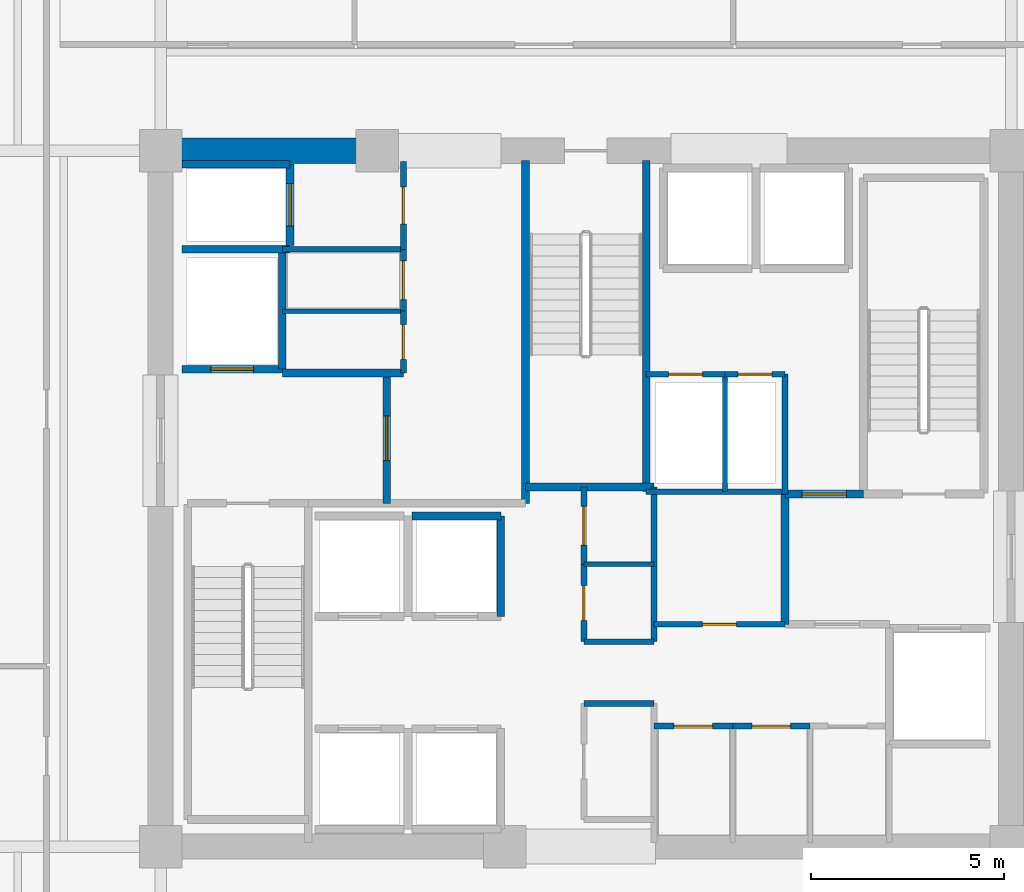
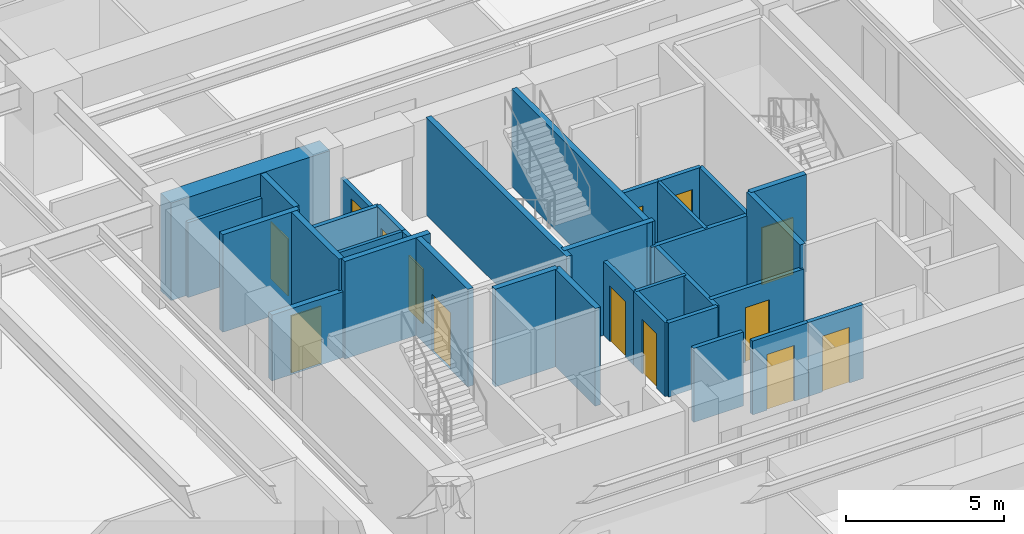
# One storey, part 14 of 20: 34 walls, 14 doors, 14 openings.
"""IFC4 building model written with IfcOpenShell, lengths in metres."""

from ifc_helpers import new_model, si_unit, direction, frame, frame_2d, origin, place, context, subcontext, project, spatial, rectangle, extrude, material, layer, layer_set, type_object, element, fill, save


model = new_model("IFC4")

# Units and contexts
model_context = context("Model", 3, precision=1e-05, world=origin(), true_north=direction((0.0, 1.0)))
body_context = subcontext(model_context, "Body", "Model", "MODEL_VIEW")
ifc_project = project(units=[si_unit("LENGTHUNIT", "METRE"), si_unit("AREAUNIT", "SQUARE_METRE"), si_unit("VOLUMEUNIT", "CUBIC_METRE"), si_unit("PLANEANGLEUNIT", "RADIAN"), si_unit("MASSUNIT", "GRAM", prefix="KILO")], contexts=[model_context])

# Site, building, storey
site_placement = place(None, origin())
site = spatial("IfcSite", under=ifc_project, at=site_placement, CompositionType="ELEMENT")
building_placement = place(site_placement, origin())
building = spatial("IfcBuilding", under=site, at=building_placement, Name="Kovane Verandah Tower", CompositionType="ELEMENT")
storey_placement = place(building_placement, frame((0.0, 0.0, 39.60009765625)))
storey = spatial("IfcBuildingStorey", under=building, at=storey_placement, Name="L08", CompositionType="ELEMENT", Elevation=39.60009765625)

# Walls
ifc_material_1 = material(Name="Fire-Rated Gypsum Stud Partition", Category="gypsum")
ifc_layer_1 = layer(ifc_material_1, 0.14990234375)
ifc_layer_set_1 = layer_set([ifc_layer_1], Name="Fire-Rated Gypsum Stud Partition")
wall_type_1 = type_object("IfcWallType", Name="WL-COR-150", PredefinedType="PARTITIONING", material=ifc_layer_set_1)
for number, where, z_axis, x_axis, name in (
    (1, (39.949951171875, 22.199951171875, 0.0), (0.0, 0.0, 1.0), (1.0, 0.0, 0.0), "L08 Core Cross-Passage South Wall"),
    (2, (39.949951171875, 23.800048828125, 0.0), (0.0, 0.0, 1.0), (1.0, 0.0, 0.0), "L08 Core Cross-Passage North Wall"),
):
    element("IfcWall", number, at=place(storey_placement, frame(where, z_axis=z_axis, x_axis=x_axis)), inside=storey, type_object=wall_type_1, Name=name, PredefinedType="PARTITIONING", context=body_context, shape_type="SweptSolid", body=[
        extrude(rectangle(XDim=1.81005859375, YDim=0.14990234375, at=frame_2d((0.905029296875, 0.0))), origin(), (0.0, 0.0, 1.0), 2.849853515625),
    ])
wall_1_placement = place(storey_placement, frame((41.760009765625, 23.800048828125, 0.0), z_axis=(0.0, 0.0, 1.0), x_axis=(0.0, 1.0, 0.0)))
element("IfcWall", 3, at=wall_1_placement, inside=storey, type_object=wall_type_1, Name="L08 Central Core Strip Upper East Wall", PredefinedType="PARTITIONING", context=body_context, shape_type="SweptSolid", body=[
    extrude(rectangle(XDim=4.0, YDim=0.14990234375, at=frame_2d((2.0, 0.0))), origin(), (0.0, 0.0, 1.0), 2.849853515625),
])

# Wall, opening, door
wall_2_placement = place(storey_placement, frame((39.949951171875, 23.800048828125, 0.0), z_axis=(0.0, 0.0, 1.0), x_axis=(0.0, 1.0, 0.0)))
wall_2 = element("IfcWall", 4, at=wall_2_placement, inside=storey, type_object=wall_type_1, Name="L08 Female Toilet Partition", PredefinedType="PARTITIONING", context=body_context, shape_type="SweptSolid", body=[
    extrude(rectangle(XDim=2.0, YDim=0.14990234375, at=frame_2d((1.0, 0.0))), origin(), (0.0, 0.0, 1.0), 2.849853515625),
])
opening_1_placement = place(wall_2_placement, frame((0.550048828125, 0.0, 0.0)))
opening_1 = element("IfcOpeningElement", 5, at=opening_1_placement, cuts=wall_2, Name="Opening DR-L08-029", PredefinedType="OPENING", context=body_context, shape_type="SweptSolid", body=[
    extrude(rectangle(XDim=0.89990234375, YDim=2.10009765625, at=frame_2d((0.449951171875, 1.050048828125))), frame((0.0, 0.074951171875, 0.0), z_axis=(0.0, -1.0, 0.0), x_axis=(1.0, 0.0, 0.0)), (0.0, 0.0, 1.0), 0.14990234375),
])
ifc_material_2 = material(Name="Moisture-Resistant Laminate Washroom Door", Category="wood")
door_type_1 = type_object("IfcDoorType", Name="DR-WC-900", OperationType="SINGLE_SWING_LEFT", PredefinedType="DOOR", material=ifc_material_2)
door_1_placement = place(opening_1_placement, origin())
door_1 = element("IfcDoor", 6, at=door_1_placement, inside=storey, type_object=door_type_1, Name="L08 Female Toilet Door", OperationType="SINGLE_SWING_LEFT", OverallHeight=2.10009765625, OverallWidth=0.89990234375, PredefinedType="DOOR", context=body_context, shape_type="SweptSolid", body=[
    extrude(rectangle(XDim=0.89990234375, YDim=2.10009765625, at=frame_2d((0.449951171875, 1.050048828125))), frame((0.0, 0.02490234375, 0.0), z_axis=(0.0, -1.0, 0.0), x_axis=(1.0, 0.0, 0.0)), (0.0, 0.0, 1.0), 0.050048828125),
])
fill(opening_1, door_1)

wall_3_placement = place(storey_placement, frame((39.949951171875, 25.800048828125, 0.0), z_axis=(0.0, 0.0, 1.0), x_axis=(0.0, 1.0, 0.0)))
wall_3 = element("IfcWall", 7, at=wall_3_placement, inside=storey, type_object=wall_type_1, Name="L08 Central First Aid and Wellness Room Partition", PredefinedType="PARTITIONING", context=body_context, shape_type="SweptSolid", body=[
    extrude(rectangle(XDim=2.0, YDim=0.14990234375, at=frame_2d((1.0, 0.0))), origin(), (0.0, 0.0, 1.0), 2.849853515625),
])
opening_2_placement = place(wall_3_placement, frame((0.5, 0.0, 0.0)))
opening_2 = element("IfcOpeningElement", 8, at=opening_2_placement, cuts=wall_3, Name="Opening DR-L08-027", PredefinedType="OPENING", context=body_context, shape_type="SweptSolid", body=[
    extrude(rectangle(XDim=1.0, YDim=2.14990234375, at=frame_2d((0.5, 1.074951171875))), frame((0.0, 0.074951171875, 0.0), z_axis=(0.0, -1.0, 0.0), x_axis=(1.0, 0.0, 0.0)), (0.0, 0.0, 1.0), 0.14990234375),
])
ifc_material_3 = material(Name="FSC Spotted-Gum Timber Fire-Rated Office Door", Category="wood")
door_type_2 = type_object("IfcDoorType", Name="DR-OFF-1000", OperationType="SINGLE_SWING_LEFT", PredefinedType="DOOR", material=ifc_material_3)
door_2_placement = place(opening_2_placement, origin())
door_2 = element("IfcDoor", 9, at=door_2_placement, inside=storey, type_object=door_type_2, Name="L08 Central First Aid and Wellness Room Door", OperationType="SINGLE_SWING_RIGHT", OverallHeight=2.14990234375, OverallWidth=1.0, PredefinedType="DOOR", context=body_context, shape_type="SweptSolid", body=[
    extrude(rectangle(XDim=1.0, YDim=2.14990234375, at=frame_2d((0.5, 1.074951171875))), frame((0.0, 0.02490234375, 0.0), z_axis=(0.0, -1.0, 0.0), x_axis=(1.0, 0.0, 0.0)), (0.0, 0.0, 1.0), 0.050048828125),
])
fill(opening_2, door_2)

# Wall
wall_4_placement = place(storey_placement, frame((32.14990234375, 33.949951171875, 0.0), z_axis=(0.0, 0.0, 1.0), x_axis=(1.0, 0.0, 0.0)))
element("IfcWall", 10, at=wall_4_placement, inside=storey, type_object=wall_type_1, Name="L08 Goods Lift Lobby South Wall", PredefinedType="PARTITIONING", context=body_context, shape_type="SweptSolid", body=[
    extrude(rectangle(XDim=3.130126953125, YDim=0.14990234375, at=frame_2d((1.56494140625, 0.0))), origin(), (0.0, 0.0, 1.0), 2.849853515625),
])

# Wall, opening, door
wall_5_placement = place(storey_placement, frame((35.280029296875, 33.949951171875, 0.0), z_axis=(0.0, 0.0, 1.0), x_axis=(0.0, 1.0, 0.0)))
wall_5 = element("IfcWall", 11, at=wall_5_placement, inside=storey, type_object=wall_type_1, Name="L08 Goods Lift Lobby East Fire Partition", PredefinedType="PARTITIONING", context=body_context, shape_type="SweptSolid", body=[
    extrude(rectangle(XDim=2.27001953125, YDim=0.14990234375, at=frame_2d((1.135009765625, 0.0))), origin(), (0.0, 0.0, 1.0), 2.539794921875),
])
opening_3_placement = place(wall_5_placement, frame((0.659912109375, 0.0, 0.0)))
opening_3 = element("IfcOpeningElement", 12, at=opening_3_placement, cuts=wall_5, Name="Opening DR-L08-008", PredefinedType="OPENING", context=body_context, shape_type="SweptSolid", body=[
    extrude(rectangle(XDim=0.949951171875, YDim=2.14990234375, at=frame_2d((0.47509765625, 1.074951171875))), frame((0.0, 0.074951171875, 0.0), z_axis=(0.0, -1.0, 0.0), x_axis=(1.0, 0.0, 0.0)), (0.0, 0.0, 1.0), 0.14990234375),
])
ifc_material_4 = material(Name="Fire-Rated Steel Refuge and Lobby Door", Category="steel")
door_type_3 = type_object("IfcDoorType", Name="DR-FIRE-950", OperationType="SINGLE_SWING_LEFT", PredefinedType="DOOR", material=ifc_material_4)
door_3_placement = place(opening_3_placement, origin())
door_3 = element("IfcDoor", 13, at=door_3_placement, inside=storey, type_object=door_type_3, Name="L08 Goods Lift Lobby Fire Door", OperationType="SINGLE_SWING_LEFT", OverallHeight=2.14990234375, OverallWidth=0.949951171875, PredefinedType="DOOR", context=body_context, shape_type="SweptSolid", body=[
    extrude(rectangle(XDim=0.949951171875, YDim=2.14990234375, at=frame_2d((0.47509765625, 1.074951171875))), frame((0.0, 0.02490234375, 0.0), z_axis=(0.0, -1.0, 0.0), x_axis=(1.0, 0.0, 0.0)), (0.0, 0.0, 1.0), 0.050048828125),
])
fill(opening_3, door_3)

wall_6_placement = place(storey_placement, frame((35.280029296875, 30.75, 0.0), z_axis=(0.0, 0.0, 1.0), x_axis=(0.0, 1.0, 0.0)))
wall_6 = element("IfcWall", 14, at=wall_6_placement, inside=storey, type_object=wall_type_1, Name="L08 Accessible Unisex Toilet Partition", PredefinedType="PARTITIONING", context=body_context, shape_type="SweptSolid", body=[
    extrude(rectangle(XDim=1.60009765625, YDim=0.14990234375, at=frame_2d((0.800048828125, 0.0))), origin(), (0.0, 0.0, 1.0), 2.849853515625),
])
opening_4_placement = place(wall_6_placement, frame((0.35009765625, 0.0, 0.0)))
opening_4 = element("IfcOpeningElement", 15, at=opening_4_placement, cuts=wall_6, Name="Opening DR-L08-028", PredefinedType="OPENING", context=body_context, shape_type="SweptSolid", body=[
    extrude(rectangle(XDim=0.89990234375, YDim=2.10009765625, at=frame_2d((0.449951171875, 1.050048828125))), frame((0.0, 0.074951171875, 0.0), z_axis=(0.0, -1.0, 0.0), x_axis=(1.0, 0.0, 0.0)), (0.0, 0.0, 1.0), 0.14990234375),
])
door_4_placement = place(opening_4_placement, origin())
door_4 = element("IfcDoor", 16, at=door_4_placement, inside=storey, type_object=door_type_1, Name="L08 Accessible Unisex Toilet Door", OperationType="SINGLE_SWING_RIGHT", OverallHeight=2.10009765625, OverallWidth=0.89990234375, PredefinedType="DOOR", context=body_context, shape_type="SweptSolid", body=[
    extrude(rectangle(XDim=0.89990234375, YDim=2.10009765625, at=frame_2d((0.449951171875, 1.050048828125))), frame((0.0, 0.02490234375, 0.0), z_axis=(0.0, -1.0, 0.0), x_axis=(1.0, 0.0, 0.0)), (0.0, 0.0, 1.0), 0.050048828125),
])
fill(opening_4, door_4)

wall_7_placement = place(storey_placement, frame((35.280029296875, 32.35009765625, 0.0), z_axis=(0.0, 0.0, 1.0), x_axis=(0.0, 1.0, 0.0)))
wall_7 = element("IfcWall", 17, at=wall_7_placement, inside=storey, type_object=wall_type_1, Name="L08 North-West First Aid Room Partition", PredefinedType="PARTITIONING", context=body_context, shape_type="SweptSolid", body=[
    extrude(rectangle(XDim=1.599853515625, YDim=0.14990234375, at=frame_2d((0.7998046875, 0.0))), origin(), (0.0, 0.0, 1.0), 2.849853515625),
])
opening_5_placement = place(wall_7_placement, frame((0.300048828125, 0.0, 0.0)))
opening_5 = element("IfcOpeningElement", 18, at=opening_5_placement, cuts=wall_7, Name="Opening DR-L08-012", PredefinedType="OPENING", context=body_context, shape_type="SweptSolid", body=[
    extrude(rectangle(XDim=1.0, YDim=2.14990234375, at=frame_2d((0.5, 1.074951171875))), frame((0.0, 0.074951171875, 0.0), z_axis=(0.0, -1.0, 0.0), x_axis=(1.0, 0.0, 0.0)), (0.0, 0.0, 1.0), 0.14990234375),
])
door_5_placement = place(opening_5_placement, origin())
door_5 = element("IfcDoor", 19, at=door_5_placement, inside=storey, type_object=door_type_2, Name="L08 North-West First Aid Room Door", OperationType="SINGLE_SWING_LEFT", OverallHeight=2.14990234375, OverallWidth=1.0, PredefinedType="DOOR", context=body_context, shape_type="SweptSolid", body=[
    extrude(rectangle(XDim=1.0, YDim=2.14990234375, at=frame_2d((0.5, 1.074951171875))), frame((0.0, 0.02490234375, 0.0), z_axis=(0.0, -1.0, 0.0), x_axis=(1.0, 0.0, 0.0)), (0.0, 0.0, 1.0), 0.050048828125),
])
fill(opening_5, door_5)

# Wall
wall_8_placement = place(storey_placement, frame((41.56005859375, 27.679931640625, 0.0), z_axis=(0.0, 0.0, 1.0), x_axis=(1.0, 0.0, 0.0)))
element("IfcWall", 20, at=wall_8_placement, inside=storey, type_object=wall_type_1, Name="L08 East Core Service Riser South Wall", PredefinedType="PARTITIONING", context=body_context, shape_type="SweptSolid", body=[
    extrude(rectangle(XDim=3.58984375, YDim=0.14990234375, at=frame_2d((1.794921875, 0.0))), origin(), (0.0, 0.0, 1.0), 2.849853515625),
])

# Wall, opening, door
wall_9_placement = place(storey_placement, frame((41.760009765625, 21.6201171875, 0.0), z_axis=(0.0, 0.0, 1.0), x_axis=(1.0, 0.0, 0.0)))
wall_9 = element("IfcWall", 21, at=wall_9_placement, inside=storey, type_object=wall_type_1, Name="L08 Mail and Copy Room Partition", PredefinedType="PARTITIONING", context=body_context, shape_type="SweptSolid", body=[
    extrude(rectangle(XDim=2.0400390625, YDim=0.14990234375, at=frame_2d((1.02001953125, 0.0))), origin(), (0.0, 0.0, 1.0), 2.849853515625),
])
opening_6_placement = place(wall_9_placement, frame((0.52001953125, 0.0, 0.0)))
opening_6 = element("IfcOpeningElement", 22, at=opening_6_placement, cuts=wall_9, Name="Opening DR-L08-016", PredefinedType="OPENING", context=body_context, shape_type="SweptSolid", body=[
    extrude(rectangle(XDim=1.0, YDim=2.14990234375, at=frame_2d((0.5, 1.074951171875))), frame((0.0, 0.074951171875, 0.0), z_axis=(0.0, -1.0, 0.0), x_axis=(1.0, 0.0, 0.0)), (0.0, 0.0, 1.0), 0.14990234375),
])
door_6_placement = place(opening_6_placement, origin())
door_6 = element("IfcDoor", 23, at=door_6_placement, inside=storey, type_object=door_type_2, Name="L08 Mail and Copy Room Door", OperationType="SINGLE_SWING_RIGHT", OverallHeight=2.14990234375, OverallWidth=1.0, PredefinedType="DOOR", context=body_context, shape_type="SweptSolid", body=[
    extrude(rectangle(XDim=1.0, YDim=2.14990234375, at=frame_2d((0.5, 1.074951171875))), frame((0.0, 0.02490234375, 0.0), z_axis=(0.0, -1.0, 0.0), x_axis=(1.0, 0.0, 0.0)), (0.0, 0.0, 1.0), 0.050048828125),
])
fill(opening_6, door_6)

wall_10_placement = place(storey_placement, frame((43.800048828125, 21.6201171875, 0.0), z_axis=(0.0, 0.0, 1.0), x_axis=(1.0, 0.0, 0.0)))
wall_10 = element("IfcWall", 24, at=wall_10_placement, inside=storey, type_object=wall_type_1, Name="L08 First Aid Room Partition", PredefinedType="PARTITIONING", context=body_context, shape_type="SweptSolid", body=[
    extrude(rectangle(XDim=2.0, YDim=0.14990234375, at=frame_2d((1.0, 0.0))), origin(), (0.0, 0.0, 1.0), 2.849853515625),
])
opening_7_placement = place(wall_10_placement, frame((0.5, 0.0, 0.0)))
opening_7 = element("IfcOpeningElement", 25, at=opening_7_placement, cuts=wall_10, Name="Opening DR-L08-017", PredefinedType="OPENING", context=body_context, shape_type="SweptSolid", body=[
    extrude(rectangle(XDim=1.0, YDim=2.14990234375, at=frame_2d((0.5, 1.074951171875))), frame((0.0, 0.074951171875, 0.0), z_axis=(0.0, -1.0, 0.0), x_axis=(1.0, 0.0, 0.0)), (0.0, 0.0, 1.0), 0.14990234375),
])
door_7_placement = place(opening_7_placement, origin())
door_7 = element("IfcDoor", 26, at=door_7_placement, inside=storey, type_object=door_type_2, Name="L08 First Aid Room Door", OperationType="SINGLE_SWING_LEFT", OverallHeight=2.14990234375, OverallWidth=1.0, PredefinedType="DOOR", context=body_context, shape_type="SweptSolid", body=[
    extrude(rectangle(XDim=1.0, YDim=2.14990234375, at=frame_2d((0.5, 1.074951171875))), frame((0.0, 0.02490234375, 0.0), z_axis=(0.0, -1.0, 0.0), x_axis=(1.0, 0.0, 0.0)), (0.0, 0.0, 1.0), 0.050048828125),
])
fill(opening_7, door_7)

wall_11_placement = place(storey_placement, frame((41.760009765625, 24.25, 0.0), z_axis=(0.0, 0.0, 1.0), x_axis=(1.0, 0.0, 0.0)))
wall_11 = element("IfcWall", 27, at=wall_11_placement, inside=storey, type_object=wall_type_1, Name="L08 Supply Store Partition", PredefinedType="PARTITIONING", context=body_context, shape_type="SweptSolid", body=[
    extrude(rectangle(XDim=3.389892578125, YDim=0.14990234375, at=frame_2d((1.69482421875, 0.0))), origin(), (0.0, 0.0, 1.0), 2.849853515625),
])
opening_8_placement = place(wall_11_placement, frame((1.2548828125, 0.0, 0.0)))
opening_8 = element("IfcOpeningElement", 28, at=opening_8_placement, cuts=wall_11, Name="Opening DR-L08-019", PredefinedType="OPENING", context=body_context, shape_type="SweptSolid", body=[
    extrude(rectangle(XDim=0.8798828125, YDim=2.10009765625, at=frame_2d((0.43994140625, 1.050048828125))), frame((0.0, 0.074951171875, 0.0), z_axis=(0.0, -1.0, 0.0), x_axis=(1.0, 0.0, 0.0)), (0.0, 0.0, 1.0), 0.14990234375),
])
ifc_material_5 = material(Name="Fire-Rated Steel Riser Access Door", Category="steel")
door_type_4 = type_object("IfcDoorType", Name="DR-RISER-880", OperationType="SINGLE_SWING_LEFT", PredefinedType="DOOR", material=ifc_material_5)
door_8_placement = place(opening_8_placement, origin())
door_8 = element("IfcDoor", 29, at=door_8_placement, inside=storey, type_object=door_type_4, Name="L08 Supply Store Door", OperationType="SINGLE_SWING_LEFT", OverallHeight=2.10009765625, OverallWidth=0.8798828125, PredefinedType="DOOR", context=body_context, shape_type="SweptSolid", body=[
    extrude(rectangle(XDim=0.8798828125, YDim=2.10009765625, at=frame_2d((0.43994140625, 1.050048828125))), frame((0.0, 0.02490234375, 0.0), z_axis=(0.0, -1.0, 0.0), x_axis=(1.0, 0.0, 0.0)), (0.0, 0.0, 1.0), 0.050048828125),
])
fill(opening_8, door_8)

# Wall
wall_12_placement = place(storey_placement, frame((45.14990234375, 27.6201171875, 0.0), z_axis=(0.0, 0.0, 1.0), x_axis=(0.0, 1.0, 0.0)))
element("IfcWall", 30, at=wall_12_placement, inside=storey, type_object=wall_type_1, Name="L08 East Core Service Riser East Wall", PredefinedType="PARTITIONING", context=body_context, shape_type="SweptSolid", body=[
    extrude(rectangle(XDim=3.099853515625, YDim=0.14990234375, at=frame_2d((1.5498046875, 0.0))), origin(), (0.0, 0.0, 1.0), 2.849853515625),
])

# Wall, opening, door
wall_13_placement = place(storey_placement, frame((41.56005859375, 30.719970703125, 0.0), z_axis=(0.0, 0.0, 1.0), x_axis=(1.0, 0.0, 0.0)))
wall_13 = element("IfcWall", 31, at=wall_13_placement, inside=storey, type_object=wall_type_1, Name="L08 Electrical Sub-Main Riser Room Partition", PredefinedType="PARTITIONING", context=body_context, shape_type="SweptSolid", body=[
    extrude(rectangle(XDim=2.0400390625, YDim=0.14990234375, at=frame_2d((1.02001953125, 0.0))), origin(), (0.0, 0.0, 1.0), 2.849853515625),
])
opening_9_placement = place(wall_13_placement, frame((0.580078125, 0.0, 0.0)))
opening_9 = element("IfcOpeningElement", 32, at=opening_9_placement, cuts=wall_13, Name="Opening DR-L08-020", PredefinedType="OPENING", context=body_context, shape_type="SweptSolid", body=[
    extrude(rectangle(XDim=0.8798828125, YDim=2.10009765625, at=frame_2d((0.43994140625, 1.050048828125))), frame((0.0, 0.074951171875, 0.0), z_axis=(0.0, -1.0, 0.0), x_axis=(1.0, 0.0, 0.0)), (0.0, 0.0, 1.0), 0.14990234375),
])
door_9_placement = place(opening_9_placement, origin())
door_9 = element("IfcDoor", 33, at=door_9_placement, inside=storey, type_object=door_type_4, Name="L08 Electrical Sub-Main Riser Room Door", OperationType="SINGLE_SWING_RIGHT", OverallHeight=2.10009765625, OverallWidth=0.8798828125, PredefinedType="DOOR", context=body_context, shape_type="SweptSolid", body=[
    extrude(rectangle(XDim=0.8798828125, YDim=2.10009765625, at=frame_2d((0.43994140625, 1.050048828125))), frame((0.0, 0.02490234375, 0.0), z_axis=(0.0, -1.0, 0.0), x_axis=(1.0, 0.0, 0.0)), (0.0, 0.0, 1.0), 0.050048828125),
])
fill(opening_9, door_9)

wall_14_placement = place(storey_placement, frame((43.60009765625, 30.719970703125, 0.0), z_axis=(0.0, 0.0, 1.0), x_axis=(1.0, 0.0, 0.0)))
wall_14 = element("IfcWall", 34, at=wall_14_placement, inside=storey, type_object=wall_type_1, Name="L08 Sprinkler Wet Riser Room Partition", PredefinedType="PARTITIONING", context=body_context, shape_type="SweptSolid", body=[
    extrude(rectangle(XDim=1.5498046875, YDim=0.14990234375, at=frame_2d((0.77490234375, 0.0))), origin(), (0.0, 0.0, 1.0), 2.849853515625),
])
opening_10_placement = place(wall_14_placement, frame((0.3349609375, 0.0, 0.0)))
opening_10 = element("IfcOpeningElement", 35, at=opening_10_placement, cuts=wall_14, Name="Opening DR-L08-021", PredefinedType="OPENING", context=body_context, shape_type="SweptSolid", body=[
    extrude(rectangle(XDim=0.8798828125, YDim=2.10009765625, at=frame_2d((0.43994140625, 1.050048828125))), frame((0.0, 0.074951171875, 0.0), z_axis=(0.0, -1.0, 0.0), x_axis=(1.0, 0.0, 0.0)), (0.0, 0.0, 1.0), 0.14990234375),
])
door_10_placement = place(opening_10_placement, origin())
door_10 = element("IfcDoor", 36, at=door_10_placement, inside=storey, type_object=door_type_4, Name="L08 Sprinkler Wet Riser Room Door", OperationType="SINGLE_SWING_LEFT", OverallHeight=2.10009765625, OverallWidth=0.8798828125, PredefinedType="DOOR", context=body_context, shape_type="SweptSolid", body=[
    extrude(rectangle(XDim=0.8798828125, YDim=2.10009765625, at=frame_2d((0.43994140625, 1.050048828125))), frame((0.0, 0.02490234375, 0.0), z_axis=(0.0, -1.0, 0.0), x_axis=(1.0, 0.0, 0.0)), (0.0, 0.0, 1.0), 0.050048828125),
])
fill(opening_10, door_10)

# Wall
ifc_material_6 = material(Name="Concrete C80/95", Category="concrete")
ifc_layer_2 = layer(ifc_material_6, 0.64990234375)
ifc_layer_set_2 = layer_set([ifc_layer_2], Name="Concrete C80/95")
wall_type_2 = type_object("IfcWallType", Name="WL-CORE-650", PredefinedType="SHEAR", material=ifc_layer_set_2)
wall_15_placement = place(storey_placement, frame((29.0, 36.5, 0.0), z_axis=(0.0, 0.0, 1.0), x_axis=(1.0, 0.0, 0.0)))
element("IfcWall", 37, at=wall_15_placement, inside=storey, type_object=wall_type_2, Name="L08 Core Shear Wall CN-1", PredefinedType="SHEAR", context=body_context, shape_type="SweptSolid", body=[
    extrude(rectangle(XDim=5.800048828125, YDim=0.64990234375, at=frame_2d((2.89990234375, 0.0))), origin(), (0.0, 0.0, 1.0), 3.760009765625),
])

# Wall, opening, door
ifc_material_7 = material(Name="Concrete C45/55 Fire Wall", Category="concrete")
ifc_layer_3 = layer(ifc_material_7, 0.199951171875)
ifc_layer_set_3 = layer_set([ifc_layer_3], Name="Concrete C45/55 Fire Wall")
wall_type_3 = type_object("IfcWallType", Name="WL-FFL-200", PredefinedType="PARTITIONING", material=ifc_layer_set_3)
wall_16_placement = place(storey_placement, frame((34.85009765625, 27.3798828125, 0.0), z_axis=(0.0, 0.0, 1.0), x_axis=(0.0, 1.0, 0.0)))
wall_16 = element("IfcWall", 38, at=wall_16_placement, inside=storey, type_object=wall_type_3, Name="W-L08-FFLW-E", PredefinedType="PARTITIONING", context=body_context, shape_type="SweptSolid", body=[
    extrude(rectangle(XDim=3.3701171875, YDim=0.199951171875, at=frame_2d((1.68505859375, 0.0))), origin(), (0.0, 0.0, 1.0), 3.760009765625),
])
opening_11_placement = place(wall_16_placement, frame((1.110107421875, 0.0, 0.0)))
opening_11 = element("IfcOpeningElement", 39, at=opening_11_placement, cuts=wall_16, Name="Opening DR-L08-006", PredefinedType="OPENING", context=body_context, shape_type="SweptSolid", body=[
    extrude(rectangle(XDim=1.14990234375, YDim=2.199951171875, at=frame_2d((0.574951171875, 1.10009765625))), frame((0.0, 0.10009765625, 0.0), z_axis=(0.0, -1.0, 0.0), x_axis=(1.0, 0.0, 0.0)), (0.0, 0.0, 1.0), 0.199951171875),
])
ifc_material_8 = material(Name="Smoke-Sealed Firefighting Lobby Door", Category="steel")
door_type_5 = type_object("IfcDoorType", Name="DR-FFL-1150", OperationType="SINGLE_SWING_LEFT", PredefinedType="DOOR", material=ifc_material_8)
door_11_placement = place(opening_11_placement, origin())
door_11 = element("IfcDoor", 40, at=door_11_placement, inside=storey, type_object=door_type_5, Name="L08 West Firefighting Lobby Inner Door", OperationType="SINGLE_SWING_LEFT", OverallHeight=2.199951171875, OverallWidth=1.14990234375, PredefinedType="DOOR", context=body_context, shape_type="SweptSolid", body=[
    extrude(rectangle(XDim=1.14990234375, YDim=2.199951171875, at=frame_2d((0.574951171875, 1.10009765625))), frame((0.0, 0.02490234375, 0.0), z_axis=(0.0, -1.0, 0.0), x_axis=(1.0, 0.0, 0.0)), (0.0, 0.0, 1.0), 0.050048828125),
])
fill(opening_11, door_11)

# Walls
wall_17_placement = place(storey_placement, frame((32.14990234375, 30.75, 0.0), z_axis=(0.0, 0.0, 1.0), x_axis=(1.0, 0.0, 0.0)))
element("IfcWall", 41, at=wall_17_placement, inside=storey, type_object=wall_type_3, Name="L08 West Firefighting Lobby North Fire Wall", PredefinedType="PARTITIONING", context=body_context, shape_type="SweptSolid", body=[
    extrude(rectangle(XDim=3.130126953125, YDim=0.199951171875, at=frame_2d((1.56494140625, 0.0))), origin(), (0.0, 0.0, 1.0), 3.760009765625),
])
wall_18_placement = place(storey_placement, frame((45.14990234375, 24.25, 0.0), z_axis=(0.0, 0.0, 1.0), x_axis=(0.0, 1.0, 0.0)))
element("IfcWall", 42, at=wall_18_placement, inside=storey, type_object=wall_type_3, Name="L08 East Firefighting Lobby West Fire Wall", PredefinedType="PARTITIONING", context=body_context, shape_type="SweptSolid", body=[
    extrude(rectangle(XDim=3.3701171875, YDim=0.199951171875, at=frame_2d((1.68505859375, 0.0))), origin(), (0.0, 0.0, 1.0), 3.760009765625),
])

# Wall, opening, door
wall_19_placement = place(storey_placement, frame((45.14990234375, 27.6201171875, 0.0), z_axis=(0.0, 0.0, 1.0), x_axis=(1.0, 0.0, 0.0)))
wall_19 = element("IfcWall", 43, at=wall_19_placement, inside=storey, type_object=wall_type_3, Name="W-L08-FFLE-N", PredefinedType="PARTITIONING", context=body_context, shape_type="SweptSolid", body=[
    extrude(rectangle(XDim=2.030029296875, YDim=0.199951171875, at=frame_2d((1.01513671875, 0.0))), origin(), (0.0, 0.0, 1.0), 3.760009765625),
])
opening_12_placement = place(wall_19_placement, frame((0.43994140625, 0.0, 0.0)))
opening_12 = element("IfcOpeningElement", 44, at=opening_12_placement, cuts=wall_19, Name="Opening DR-L08-004", PredefinedType="OPENING", context=body_context, shape_type="SweptSolid", body=[
    extrude(rectangle(XDim=1.14990234375, YDim=2.199951171875, at=frame_2d((0.574951171875, 1.10009765625))), frame((0.0, 0.10009765625, 0.0), z_axis=(0.0, -1.0, 0.0), x_axis=(1.0, 0.0, 0.0)), (0.0, 0.0, 1.0), 0.199951171875),
])
door_12_placement = place(opening_12_placement, origin())
door_12 = element("IfcDoor", 45, at=door_12_placement, inside=storey, type_object=door_type_5, Name="L08 East Firefighting Lobby Shuttle Link Door", OperationType="SINGLE_SWING_LEFT", OverallHeight=2.199951171875, OverallWidth=1.14990234375, PredefinedType="DOOR", context=body_context, shape_type="SweptSolid", body=[
    extrude(rectangle(XDim=1.14990234375, YDim=2.199951171875, at=frame_2d((0.574951171875, 1.10009765625))), frame((0.0, 0.02490234375, 0.0), z_axis=(0.0, -1.0, 0.0), x_axis=(1.0, 0.0, 0.0)), (0.0, 0.0, 1.0), 0.050048828125),
])
fill(opening_12, door_12)

ifc_material_9 = material(Name="Concrete C45/55 Lift Shaft Wall", Category="concrete")
ifc_layer_4 = layer(ifc_material_9, 0.199951171875)
ifc_layer_set_4 = layer_set([ifc_layer_4], Name="Concrete C45/55 Lift Shaft Wall")
wall_type_4 = type_object("IfcWallType", Name="WL-LIFT-200", PredefinedType="SOLIDWALL", material=ifc_layer_set_4)
wall_20_placement = place(storey_placement, frame((29.550048828125, 30.85009765625, 0.0), z_axis=(0.0, 0.0, 1.0), x_axis=(1.0, 0.0, 0.0)))
wall_20 = element("IfcWall", 46, at=wall_20_placement, inside=storey, type_object=wall_type_4, Name="L08 Lift FL-01 S Shaft Wall", PredefinedType="SOLIDWALL", context=body_context, shape_type="SweptSolid", body=[
    extrude(rectangle(XDim=2.599853515625, YDim=0.199951171875, at=frame_2d((1.2998046875, 0.0))), origin(), (0.0, 0.0, 1.0), 2.539794921875),
])
opening_13_placement = place(wall_20_placement, frame((0.75, 0.0, 0.0)))
opening_13 = element("IfcOpeningElement", 47, at=opening_13_placement, cuts=wall_20, Name="Opening LD-L08-001", PredefinedType="OPENING", context=body_context, shape_type="SweptSolid", body=[
    extrude(rectangle(XDim=1.10009765625, YDim=2.199951171875, at=frame_2d((0.550048828125, 1.10009765625))), frame((0.0, 0.10009765625, 0.0), z_axis=(0.0, -1.0, 0.0), x_axis=(1.0, 0.0, 0.0)), (0.0, 0.0, 1.0), 0.199951171875),
])
ifc_material_10 = material(Name="Brushed Stainless Steel Sliding Lift Landing Door", Category="steel")
door_type_6 = type_object("IfcDoorType", Name="DR-LIFT-1100", OperationType="SLIDING_TO_RIGHT", PredefinedType="DOOR", material=ifc_material_10)
door_13_placement = place(opening_13_placement, origin())
door_13 = element("IfcDoor", 48, at=door_13_placement, inside=storey, type_object=door_type_6, Name="L08 Lift FL-01 Sliding Landing Door", OperationType="SLIDING_TO_RIGHT", OverallHeight=2.199951171875, OverallWidth=1.10009765625, PredefinedType="DOOR", context=body_context, shape_type="SweptSolid", body=[
    extrude(rectangle(XDim=1.10009765625, YDim=2.199951171875, at=frame_2d((0.550048828125, 1.10009765625))), frame((0.0, 0.02490234375, 0.0), z_axis=(0.0, -1.0, 0.0), x_axis=(1.0, 0.0, 0.0)), (0.0, 0.0, 1.0), 0.050048828125),
])
fill(opening_13, door_13)

# Walls
wall_21_placement = place(storey_placement, frame((29.550048828125, 33.949951171875, 0.0), z_axis=(0.0, 0.0, 1.0), x_axis=(1.0, 0.0, 0.0)))
element("IfcWall", 49, at=wall_21_placement, inside=storey, type_object=wall_type_4, Name="L08 Lift FL-01 and GL-01 Shared Shaft Wall", PredefinedType="SOLIDWALL", context=body_context, shape_type="SweptSolid", body=[
    extrude(rectangle(XDim=2.800048828125, YDim=0.199951171875, at=frame_2d((1.39990234375, 0.0))), origin(), (0.0, 0.0, 1.0), 3.760009765625),
])
wall_22_placement = place(storey_placement, frame((32.14990234375, 30.85009765625, 0.0), z_axis=(0.0, 0.0, 1.0), x_axis=(0.0, 1.0, 0.0)))
element("IfcWall", 50, at=wall_22_placement, inside=storey, type_object=wall_type_4, Name="L08 Lift FL-01 E Shaft Wall", PredefinedType="SOLIDWALL", context=body_context, shape_type="SweptSolid", body=[
    extrude(rectangle(XDim=3.0, YDim=0.199951171875, at=frame_2d((1.5, 0.0))), origin(), (0.0, 0.0, 1.0), 3.760009765625),
])
wall_23_placement = place(storey_placement, frame((32.35009765625, 36.14990234375, 0.0), z_axis=(0.0, 0.0, 1.0), x_axis=(-1.0, 0.0, 0.0)))
element("IfcWall", 51, at=wall_23_placement, inside=storey, type_object=wall_type_4, Name="L08 Lift GL-01 N Shaft Wall", PredefinedType="SOLIDWALL", context=body_context, shape_type="SweptSolid", body=[
    extrude(rectangle(XDim=2.800048828125, YDim=0.199951171875, at=frame_2d((1.39990234375, 0.0))), origin(), (0.0, 0.0, 1.0), 2.88916015625),
])

# Wall, opening, door
wall_24_placement = place(storey_placement, frame((32.35009765625, 34.050048828125, 0.0), z_axis=(0.0, 0.0, 1.0), x_axis=(0.0, 1.0, 0.0)))
wall_24 = element("IfcWall", 52, at=wall_24_placement, inside=storey, type_object=wall_type_4, Name="L08 Lift GL-01 E Shaft Wall", PredefinedType="SOLIDWALL", context=body_context, shape_type="SweptSolid", body=[
    extrude(rectangle(XDim=2.099853515625, YDim=0.199951171875, at=frame_2d((1.0498046875, 0.0))), origin(), (0.0, 0.0, 1.0), 3.760009765625),
])
opening_14_placement = place(wall_24_placement, frame((0.5, 0.0, 0.0)))
opening_14 = element("IfcOpeningElement", 53, at=opening_14_placement, cuts=wall_24, Name="Opening LD-L08-003", PredefinedType="OPENING", context=body_context, shape_type="SweptSolid", body=[
    extrude(rectangle(XDim=1.10009765625, YDim=2.199951171875, at=frame_2d((0.550048828125, 1.10009765625))), frame((0.0, 0.10009765625, 0.0), z_axis=(0.0, -1.0, 0.0), x_axis=(1.0, 0.0, 0.0)), (0.0, 0.0, 1.0), 0.199951171875),
])
door_14_placement = place(opening_14_placement, origin())
door_14 = element("IfcDoor", 54, at=door_14_placement, inside=storey, type_object=door_type_6, Name="L08 Lift GL-01 Sliding Landing Door", OperationType="SLIDING_TO_RIGHT", OverallHeight=2.199951171875, OverallWidth=1.10009765625, PredefinedType="DOOR", context=body_context, shape_type="SweptSolid", body=[
    extrude(rectangle(XDim=1.10009765625, YDim=2.199951171875, at=frame_2d((0.550048828125, 1.10009765625))), frame((0.0, 0.02490234375, 0.0), z_axis=(0.0, -1.0, 0.0), x_axis=(1.0, 0.0, 0.0)), (0.0, 0.0, 1.0), 0.050048828125),
])
fill(opening_14, door_14)

# Walls
wall_25_placement = place(storey_placement, frame((37.800048828125, 27.050048828125, 0.0), z_axis=(0.0, 0.0, 1.0), x_axis=(-1.0, 0.0, 0.0)))
element("IfcWall", 55, at=wall_25_placement, inside=storey, type_object=wall_type_4, Name="L08 Lift PL-L4 N Shaft Wall", PredefinedType="SOLIDWALL", context=body_context, shape_type="SweptSolid", body=[
    extrude(rectangle(XDim=2.300048828125, YDim=0.199951171875, at=frame_2d((1.14990234375, 0.0))), origin(), (0.0, 0.0, 1.0), 3.760009765625),
])
wall_26_placement = place(storey_placement, frame((37.800048828125, 24.449951171875, 0.0), z_axis=(0.0, 0.0, 1.0), x_axis=(0.0, 1.0, 0.0)))
element("IfcWall", 56, at=wall_26_placement, inside=storey, type_object=wall_type_4, Name="L08 Lift PL-L4 E Shaft Wall", PredefinedType="SOLIDWALL", context=body_context, shape_type="SweptSolid", body=[
    extrude(rectangle(XDim=2.60009765625, YDim=0.199951171875, at=frame_2d((1.300048828125, 0.0))), origin(), (0.0, 0.0, 1.0), 3.760009765625),
])
ifc_material_11 = material(Name="Acoustic Fire-Rated Gypsum Partition", Category="gypsum")
ifc_layer_5 = layer(ifc_material_11, 0.1201171875)
ifc_layer_set_5 = layer_set([ifc_layer_5], Name="Acoustic Fire-Rated Gypsum Partition")
wall_type_5 = type_object("IfcWallType", Name="WL-PART-120", PredefinedType="PARTITIONING", material=ifc_layer_set_5)
wall_27_placement = place(storey_placement, frame((39.949951171875, 25.800048828125, 0.0), z_axis=(0.0, 0.0, 1.0), x_axis=(1.0, 0.0, 0.0)))
element("IfcWall", 57, at=wall_27_placement, inside=storey, type_object=wall_type_5, Name="L08 Central Core Strip Upper Dividing Partition", PredefinedType="PARTITIONING", context=body_context, shape_type="SweptSolid", body=[
    extrude(rectangle(XDim=1.81005859375, YDim=0.1201171875, at=frame_2d((0.905029296875, 0.0))), origin(), (0.0, 0.0, 1.0), 2.849853515625),
])
wall_28_placement = place(storey_placement, frame((32.14990234375, 32.35009765625, 0.0), z_axis=(0.0, 0.0, 1.0), x_axis=(1.0, 0.0, 0.0)))
element("IfcWall", 58, at=wall_28_placement, inside=storey, type_object=wall_type_5, Name="L08 Accessible Washroom and Support Dividing Partition", PredefinedType="PARTITIONING", context=body_context, shape_type="SweptSolid", body=[
    extrude(rectangle(XDim=3.130126953125, YDim=0.1201171875, at=frame_2d((1.56494140625, 0.0))), origin(), (0.0, 0.0, 1.0), 2.849853515625),
])
wall_29_placement = place(storey_placement, frame((43.60009765625, 27.679931640625, 0.0), z_axis=(0.0, 0.0, 1.0), x_axis=(0.0, 1.0, 0.0)))
element("IfcWall", 59, at=wall_29_placement, inside=storey, type_object=wall_type_5, Name="L08 Service Riser Dividing Partition", PredefinedType="PARTITIONING", context=body_context, shape_type="SweptSolid", body=[
    extrude(rectangle(XDim=3.0400390625, YDim=0.1201171875, at=frame_2d((1.52001953125, 0.0))), origin(), (0.0, 0.0, 1.0), 2.849853515625),
])
ifc_material_12 = material(Name="Concrete C45/55", Category="concrete")
ifc_layer_6 = layer(ifc_material_12, 0.199951171875)
ifc_layer_set_6 = layer_set([ifc_layer_6], Name="Concrete C45/55")
wall_type_6 = type_object("IfcWallType", Name="WL-SHAFT-200", PredefinedType="SOLIDWALL", material=ifc_layer_set_6)
wall_30_placement = place(storey_placement, frame((38.43994140625, 27.3798828125, 0.0), z_axis=(0.0, 0.0, 1.0), x_axis=(0.0, 1.0, 0.0)))
element("IfcWall", 60, at=wall_30_placement, inside=storey, type_object=wall_type_6, Name="W-L08-ST03-W", PredefinedType="SOLIDWALL", context=body_context, shape_type="SweptSolid", body=[
    extrude(rectangle(XDim=8.8701171875, YDim=0.199951171875, at=frame_2d((4.43505859375, 0.0))), origin(), (0.0, 0.0, 1.0), 3.760009765625),
])
wall_31_placement = place(storey_placement, frame((41.56005859375, 27.679931640625, 0.0), z_axis=(0.0, 0.0, 1.0), x_axis=(0.0, 1.0, 0.0)))
element("IfcWall", 61, at=wall_31_placement, inside=storey, type_object=wall_type_6, Name="W-L08-ST03-E", PredefinedType="SOLIDWALL", context=body_context, shape_type="SweptSolid", body=[
    extrude(rectangle(XDim=8.570068359375, YDim=0.199951171875, at=frame_2d((4.28515625, 0.0))), origin(), (0.0, 0.0, 1.0), 3.760009765625),
])
wall_32_placement = place(storey_placement, frame((38.43994140625, 27.800048828125, 0.0), z_axis=(0.0, 0.0, 1.0), x_axis=(1.0, 0.0, 0.0)))
element("IfcWall", 62, at=wall_32_placement, inside=storey, type_object=wall_type_6, Name="W-L08-ST03-S", PredefinedType="SOLIDWALL", context=body_context, shape_type="SweptSolid", body=[
    extrude(rectangle(XDim=3.320068359375, YDim=0.199951171875, at=frame_2d((1.66015625, 0.0))), origin(), (0.0, 0.0, 1.0), 3.760009765625),
])

save(model, "model.ifc")
